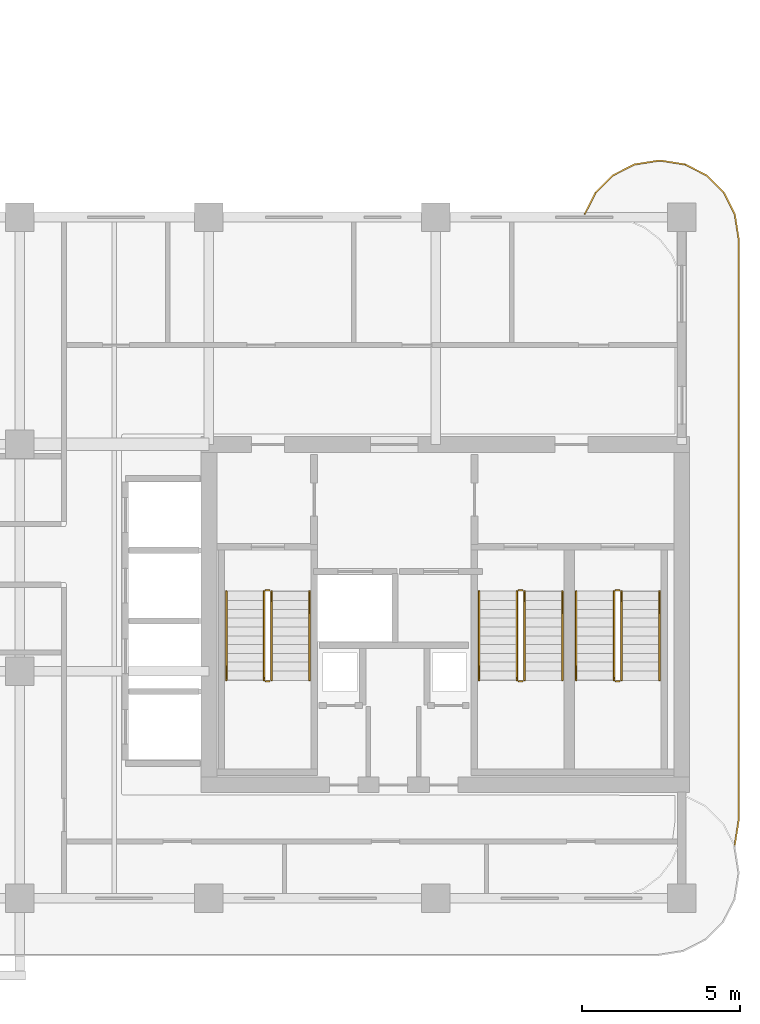
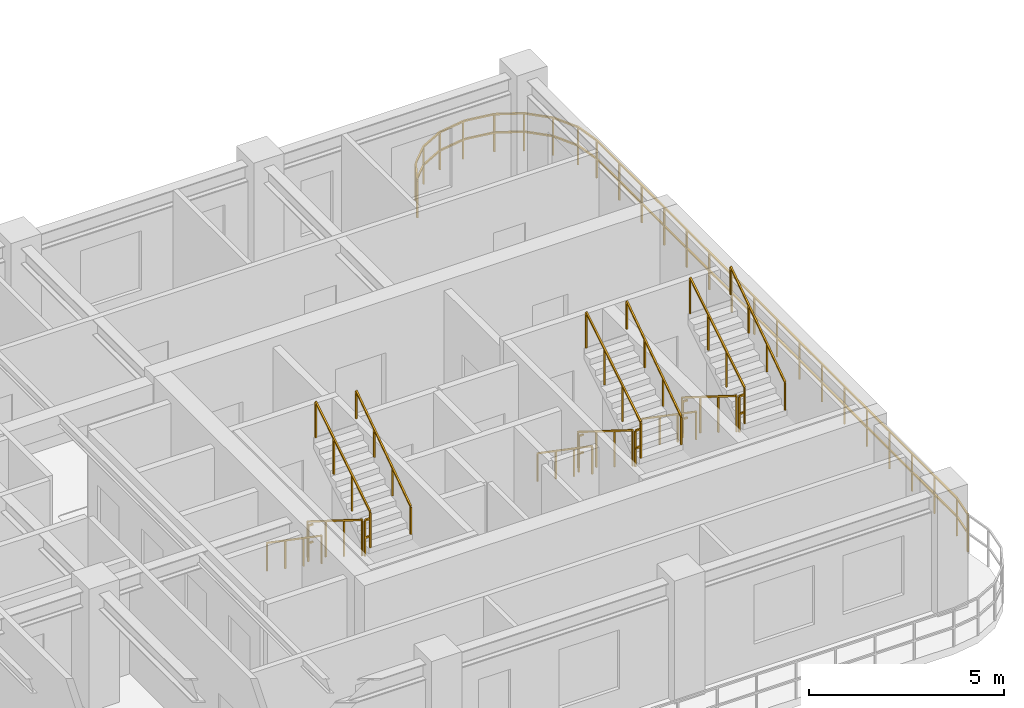
# One storey, part 12 of 14: 19 railings.
"""IFC4 building model written with IfcOpenShell, lengths in metres."""

from ifc_helpers import new_model, si_unit, derived_unit, direction, frame, origin, origin_2d, place, context, subcontext, project, spatial, rectangle, extrude, material, type_object, element, save


model = new_model("IFC4")

# Units and contexts
model_context = context("Model", 3, precision=1e-05, world=origin(), true_north=direction((0.0, 1.0)))
body_context = subcontext(model_context, "Body", "Model", "MODEL_VIEW")
ifc_project = project(units=[si_unit("LENGTHUNIT", "METRE"), si_unit("AREAUNIT", "SQUARE_METRE"), si_unit("VOLUMEUNIT", "CUBIC_METRE"), si_unit("PLANEANGLEUNIT", "RADIAN"), si_unit("MASSUNIT", "GRAM", prefix="KILO"), si_unit("THERMODYNAMICTEMPERATUREUNIT", "KELVIN"), si_unit("POWERUNIT", "WATT"), derived_unit("THERMALTRANSMITTANCEUNIT", [(si_unit("POWERUNIT", "WATT"), 1), (si_unit("AREAUNIT", "SQUARE_METRE"), -1), (si_unit("THERMODYNAMICTEMPERATUREUNIT", "KELVIN"), -1)])], contexts=[model_context])

# Site, building, storey
site_placement = place(None, origin())
site = spatial("IfcSite", under=ifc_project, at=site_placement, CompositionType="ELEMENT")
building_placement = place(site_placement, origin())
building = spatial("IfcBuilding", under=site, at=building_placement, Name="Zahravan Archway Hotel and Residences", CompositionType="ELEMENT")
storey_placement = place(building_placement, frame((0.0, 0.0, 205.75)))
storey = spatial("IfcBuildingStorey", under=building, at=storey_placement, Name="L51", CompositionType="ELEMENT", Elevation=205.75)

# Railings
ifc_material_1 = material(Name="Bronze & Laminated Glass Balustrade", Category="glass")
railing_type_1 = type_object("IfcRailingType", Name="RL-BAL-1200", PredefinedType="BALUSTRADE", material=ifc_material_1)
railing_1_placement = place(storey_placement, frame((46.719970703125, 21.70703125, 0.0)))
element("IfcRailing", 1, at=railing_1_placement, inside=storey, type_object=railing_type_1, Name="L51 Balustrade RL-SLB-BAL-L51-EA-1", PredefinedType="BALUSTRADE", context=body_context, shape_type="SweptSolid", body=[
    extrude(rectangle(XDim=0.048095703125, YDim=0.048095703125, at=origin_2d()), frame((0.0, 0.0, 1.17578125), z_axis=(0.453825591531, 0.891090529897, 0.0), x_axis=(-0.891090529897, 0.453825591531, 0.0)), (0.0, 0.0, 1.0), 0.7666015625),
    extrude(rectangle(XDim=0.048095703125, YDim=0.048095703125, at=origin_2d()), frame((0.0, 0.0, 0.60009765625), z_axis=(0.453825591531, 0.891090529897, 0.0), x_axis=(-0.891090529897, 0.453825591531, 0.0)), (0.0, 0.0, 1.0), 0.7666015625),
    extrude(rectangle(XDim=0.048095703125, YDim=0.048095703125, at=origin_2d()), frame((0.347900390625, 0.68310546875, 1.17578125), z_axis=(0.707106781187, 0.707106781187, 0.0), x_axis=(-0.707106781187, 0.707106781187, 0.0)), (0.0, 0.0, 1.0), 0.7666015625),
    extrude(rectangle(XDim=0.048095703125, YDim=0.048095703125, at=origin_2d()), frame((0.347900390625, 0.68310546875, 0.60009765625), z_axis=(0.707106781187, 0.707106781187, 0.0), x_axis=(-0.707106781187, 0.707106781187, 0.0)), (0.0, 0.0, 1.0), 0.7666015625),
    extrude(rectangle(XDim=0.048095703125, YDim=0.048095703125, at=origin_2d()), frame((0.889892578125, 1.22509765625, 1.17578125), z_axis=(0.891090529897, 0.453825591531, 0.0), x_axis=(-0.453825591531, 0.891090529897, 0.0)), (0.0, 0.0, 1.0), 0.7666015625),
    extrude(rectangle(XDim=0.048095703125, YDim=0.048095703125, at=origin_2d()), frame((0.889892578125, 1.22509765625, 0.60009765625), z_axis=(0.891090529897, 0.453825591531, 0.0), x_axis=(-0.453825591531, 0.891090529897, 0.0)), (0.0, 0.0, 1.0), 0.7666015625),
    extrude(rectangle(XDim=0.048095703125, YDim=0.048095703125, at=origin_2d()), frame((1.572998046875, 1.572998046875, 1.17578125), z_axis=(0.987695728695, 0.156387811283, 0.0), x_axis=(-0.156387811283, 0.987695728695, 0.0)), (0.0, 0.0, 1.0), 0.7666015625),
    extrude(rectangle(XDim=0.048095703125, YDim=0.048095703125, at=origin_2d()), frame((1.572998046875, 1.572998046875, 0.60009765625), z_axis=(0.987695728695, 0.156387811283, 0.0), x_axis=(-0.156387811283, 0.987695728695, 0.0)), (0.0, 0.0, 1.0), 0.7666015625),
    extrude(rectangle(XDim=0.048095703125, YDim=0.048095703125, at=origin_2d()), frame((2.330078125, 1.69287109375, 1.17578125), z_axis=(1.0, 0.0, 0.0), x_axis=(0.0, 1.0, 0.0)), (0.0, 0.0, 1.0), 0.099853515625),
    extrude(rectangle(XDim=0.048095703125, YDim=0.048095703125, at=origin_2d()), frame((2.330078125, 1.69287109375, 0.60009765625), z_axis=(1.0, 0.0, 0.0), x_axis=(0.0, 1.0, 0.0)), (0.0, 0.0, 1.0), 0.099853515625),
    extrude(rectangle(XDim=0.048095703125, YDim=0.048095703125, at=origin_2d()), frame((2.429931640625, 1.69287109375, 1.17578125), z_axis=(0.987695728695, -0.156387811283, 0.0), x_axis=(0.156387811283, 0.987695728695, 0.0)), (0.0, 0.0, 1.0), 0.7666015625),
    extrude(rectangle(XDim=0.048095703125, YDim=0.048095703125, at=origin_2d()), frame((2.429931640625, 1.69287109375, 0.60009765625), z_axis=(0.987695728695, -0.156387811283, 0.0), x_axis=(0.156387811283, 0.987695728695, 0.0)), (0.0, 0.0, 1.0), 0.7666015625),
    extrude(rectangle(XDim=0.048095703125, YDim=0.048095703125, at=origin_2d()), frame((3.18701171875, 1.572998046875, 1.17578125), z_axis=(0.891090529897, -0.453825591531, 0.0), x_axis=(0.453825591531, 0.891090529897, 0.0)), (0.0, 0.0, 1.0), 0.7666015625),
    extrude(rectangle(XDim=0.048095703125, YDim=0.048095703125, at=origin_2d()), frame((3.18701171875, 1.572998046875, 0.60009765625), z_axis=(0.891090529897, -0.453825591531, 0.0), x_axis=(0.453825591531, 0.891090529897, 0.0)), (0.0, 0.0, 1.0), 0.7666015625),
    extrude(rectangle(XDim=0.048095703125, YDim=0.048095703125, at=origin_2d()), frame((3.8701171875, 1.22509765625, 1.17578125), z_axis=(0.707106781187, -0.707106781187, 0.0), x_axis=(0.707106781187, 0.707106781187, 0.0)), (0.0, 0.0, 1.0), 0.7666015625),
    extrude(rectangle(XDim=0.048095703125, YDim=0.048095703125, at=origin_2d()), frame((3.8701171875, 1.22509765625, 0.60009765625), z_axis=(0.707106781187, -0.707106781187, 0.0), x_axis=(0.707106781187, 0.707106781187, 0.0)), (0.0, 0.0, 1.0), 0.7666015625),
    extrude(rectangle(XDim=0.048095703125, YDim=0.048095703125, at=origin_2d()), frame((4.412109375, 0.68310546875, 1.17578125), z_axis=(0.453825591531, -0.891090529897, 0.0), x_axis=(0.891090529897, 0.453825591531, 0.0)), (0.0, 0.0, 1.0), 0.7666015625),
    extrude(rectangle(XDim=0.048095703125, YDim=0.048095703125, at=origin_2d()), frame((4.412109375, 0.68310546875, 0.60009765625), z_axis=(0.453825591531, -0.891090529897, 0.0), x_axis=(0.891090529897, 0.453825591531, 0.0)), (0.0, 0.0, 1.0), 0.7666015625),
    extrude(rectangle(XDim=0.048095703125, YDim=0.048095703125, at=origin_2d()), frame((4.760009765625, 0.0, 1.17578125), z_axis=(0.156698507018, -0.987646484274, 0.0), x_axis=(0.987646484274, 0.156698507018, 0.0)), (0.0, 0.0, 1.0), 0.7666015625),
    extrude(rectangle(XDim=0.048095703125, YDim=0.048095703125, at=origin_2d()), frame((4.760009765625, 0.0, 0.60009765625), z_axis=(0.156698507018, -0.987646484274, 0.0), x_axis=(0.987646484274, 0.156698507018, 0.0)), (0.0, 0.0, 1.0), 0.7666015625),
    extrude(rectangle(XDim=0.048095703125, YDim=0.048095703125, at=origin_2d()), frame((4.880126953125, -0.757080078125, 1.17578125), z_axis=(0.0, -1.0, 0.0), x_axis=(1.0, 0.0, 0.0)), (0.0, 0.0, 1.0), 18.5),
    extrude(rectangle(XDim=0.048095703125, YDim=0.048095703125, at=origin_2d()), frame((4.880126953125, -0.757080078125, 0.60009765625), z_axis=(0.0, -1.0, 0.0), x_axis=(1.0, 0.0, 0.0)), (0.0, 0.0, 1.0), 18.5),
    extrude(rectangle(XDim=0.048095703125, YDim=0.048095703125, at=origin_2d()), frame((4.880126953125, -19.257080078125, 1.17578125), z_axis=(-0.156698507018, -0.987646484274, 0.0), x_axis=(0.987646484274, -0.156698507018, 0.0)), (0.0, 0.0, 1.0), 0.7666015625),
    extrude(rectangle(XDim=0.048095703125, YDim=0.048095703125, at=origin_2d()), frame((4.880126953125, -19.257080078125, 0.60009765625), z_axis=(-0.156698507018, -0.987646484274, 0.0), x_axis=(0.987646484274, -0.156698507018, 0.0)), (0.0, 0.0, 1.0), 0.7666015625),
    extrude(rectangle(XDim=0.0419921875, YDim=0.0419921875, at=origin_2d()), origin(), (0.0, 0.0, 1.0), 1.15185546875),
    extrude(rectangle(XDim=0.0419921875, YDim=0.0419921875, at=origin_2d()), frame((0.347900390625, 0.68310546875, 0.0)), (0.0, 0.0, 1.0), 1.15185546875),
    extrude(rectangle(XDim=0.0419921875, YDim=0.0419921875, at=origin_2d()), frame((0.889892578125, 1.22509765625, 0.0)), (0.0, 0.0, 1.0), 1.15185546875),
    extrude(rectangle(XDim=0.0419921875, YDim=0.0419921875, at=origin_2d()), frame((1.572998046875, 1.572998046875, 0.0)), (0.0, 0.0, 1.0), 1.15185546875),
    extrude(rectangle(XDim=0.0419921875, YDim=0.0419921875, at=origin_2d()), frame((2.330078125, 1.69287109375, 0.0)), (0.0, 0.0, 1.0), 1.15185546875),
    extrude(rectangle(XDim=0.0419921875, YDim=0.0419921875, at=origin_2d()), frame((3.18701171875, 1.572998046875, 0.0)), (0.0, 0.0, 1.0), 1.15185546875),
    extrude(rectangle(XDim=0.0419921875, YDim=0.0419921875, at=origin_2d()), frame((3.8701171875, 1.22509765625, 0.0)), (0.0, 0.0, 1.0), 1.15185546875),
    extrude(rectangle(XDim=0.0419921875, YDim=0.0419921875, at=origin_2d()), frame((4.412109375, 0.68310546875, 0.0)), (0.0, 0.0, 1.0), 1.15185546875),
    extrude(rectangle(XDim=0.0419921875, YDim=0.0419921875, at=origin_2d()), frame((4.760009765625, 0.0, 0.0)), (0.0, 0.0, 1.0), 1.15185546875),
    extrude(rectangle(XDim=0.0419921875, YDim=0.0419921875, at=origin_2d()), frame((4.880126953125, -0.757080078125, 0.0)), (0.0, 0.0, 1.0), 1.15185546875),
    extrude(rectangle(XDim=0.0419921875, YDim=0.0419921875, at=origin_2d()), frame((4.880126953125, -1.913330078125, 0.0)), (0.0, 0.0, 1.0), 1.15185546875),
    extrude(rectangle(XDim=0.0419921875, YDim=0.0419921875, at=origin_2d()), frame((4.880126953125, -3.069580078125, 0.0)), (0.0, 0.0, 1.0), 1.15185546875),
    extrude(rectangle(XDim=0.0419921875, YDim=0.0419921875, at=origin_2d()), frame((4.880126953125, -4.225830078125, 0.0)), (0.0, 0.0, 1.0), 1.15185546875),
    extrude(rectangle(XDim=0.0419921875, YDim=0.0419921875, at=origin_2d()), frame((4.880126953125, -5.382080078125, 0.0)), (0.0, 0.0, 1.0), 1.15185546875),
    extrude(rectangle(XDim=0.0419921875, YDim=0.0419921875, at=origin_2d()), frame((4.880126953125, -6.538330078125, 0.0)), (0.0, 0.0, 1.0), 1.15185546875),
    extrude(rectangle(XDim=0.0419921875, YDim=0.0419921875, at=origin_2d()), frame((4.880126953125, -7.694580078125, 0.0)), (0.0, 0.0, 1.0), 1.15185546875),
    extrude(rectangle(XDim=0.0419921875, YDim=0.0419921875, at=origin_2d()), frame((4.880126953125, -8.850830078125, 0.0)), (0.0, 0.0, 1.0), 1.15185546875),
    extrude(rectangle(XDim=0.0419921875, YDim=0.0419921875, at=origin_2d()), frame((4.880126953125, -10.007080078125, 0.0)), (0.0, 0.0, 1.0), 1.15185546875),
    extrude(rectangle(XDim=0.0419921875, YDim=0.0419921875, at=origin_2d()), frame((4.880126953125, -11.163330078125, 0.0)), (0.0, 0.0, 1.0), 1.15185546875),
    extrude(rectangle(XDim=0.0419921875, YDim=0.0419921875, at=origin_2d()), frame((4.880126953125, -12.319580078125, 0.0)), (0.0, 0.0, 1.0), 1.15185546875),
    extrude(rectangle(XDim=0.0419921875, YDim=0.0419921875, at=origin_2d()), frame((4.880126953125, -13.475830078125, 0.0)), (0.0, 0.0, 1.0), 1.15185546875),
    extrude(rectangle(XDim=0.0419921875, YDim=0.0419921875, at=origin_2d()), frame((4.880126953125, -14.632080078125, 0.0)), (0.0, 0.0, 1.0), 1.15185546875),
    extrude(rectangle(XDim=0.0419921875, YDim=0.0419921875, at=origin_2d()), frame((4.880126953125, -15.788330078125, 0.0)), (0.0, 0.0, 1.0), 1.15185546875),
    extrude(rectangle(XDim=0.0419921875, YDim=0.0419921875, at=origin_2d()), frame((4.880126953125, -16.944580078125, 0.0)), (0.0, 0.0, 1.0), 1.15185546875),
    extrude(rectangle(XDim=0.0419921875, YDim=0.0419921875, at=origin_2d()), frame((4.880126953125, -18.100830078125, 0.0)), (0.0, 0.0, 1.0), 1.15185546875),
    extrude(rectangle(XDim=0.0419921875, YDim=0.0419921875, at=origin_2d()), frame((4.880126953125, -19.257080078125, 0.0)), (0.0, 0.0, 1.0), 1.15185546875),
    extrude(rectangle(XDim=0.0419921875, YDim=0.0419921875, at=origin_2d()), frame((4.760009765625, -20.01416015625, 0.0)), (0.0, 0.0, 1.0), 1.15185546875),
])
ifc_material_2 = material(Name="Painted Tubular Steel", Category="steel")
railing_type_2 = type_object("IfcRailingType", Name="RL-STG-1150", PredefinedType="GUARDRAIL", material=ifc_material_2)
railing_2_placement = place(storey_placement, frame((36.550048828125, 9.72998046875, 0.175048828125)))
element("IfcRailing", 2, at=railing_2_placement, inside=storey, type_object=railing_type_2, Name="L51 ST-A1 stair guard 1", PredefinedType="GUARDRAIL", context=body_context, shape_type="SweptSolid", body=[
    extrude(rectangle(XDim=0.048095703125, YDim=0.048095703125, at=origin_2d()), frame((0.0, 0.0, 1.1259765625), z_axis=(0.0, -0.848002457836, 0.529992293815), x_axis=(1.0, 0.0, 0.0)), (0.0, 0.0, 1.0), 3.302001953125),
    extrude(rectangle(XDim=0.0419921875, YDim=0.0419921875, at=origin_2d()), origin(), (0.0, 0.0, 1.0), 1.101806640625),
    extrude(rectangle(XDim=0.0419921875, YDim=0.0419921875, at=origin_2d()), frame((0.0, -0.933349609375, 0.583251953125)), (0.0, 0.0, 1.0), 1.101806640625),
    extrude(rectangle(XDim=0.0419921875, YDim=0.0419921875, at=origin_2d()), frame((0.0, -1.86669921875, 1.166748046875)), (0.0, 0.0, 1.0), 1.101806640625),
    extrude(rectangle(XDim=0.0419921875, YDim=0.0419921875, at=origin_2d()), frame((0.0, -2.800048828125, 1.75)), (0.0, 0.0, 1.0), 1.101806640625),
])
railing_3_placement = place(storey_placement, frame((36.60009765625, 6.8798828125, 1.925048828125)))
element("IfcRailing", 3, at=railing_3_placement, inside=storey, type_object=railing_type_2, Name="L51 ST-A1 stair guard 2", PredefinedType="GUARDRAIL", context=body_context, shape_type="SweptSolid", body=[
    extrude(rectangle(XDim=0.048095703125, YDim=0.048095703125, at=origin_2d()), frame((0.0, 0.0, 1.1259765625), z_axis=(1.0, 0.0, 0.0), x_axis=(0.0, 1.0, 0.0)), (0.0, 0.0, 1.0), 0.139892578125),
    extrude(rectangle(XDim=0.048095703125, YDim=0.048095703125, at=origin_2d()), frame((0.0, 0.0, 0.574951171875), z_axis=(1.0, 0.0, 0.0), x_axis=(0.0, 1.0, 0.0)), (0.0, 0.0, 1.0), 0.139892578125),
    extrude(rectangle(XDim=0.0419921875, YDim=0.0419921875, at=origin_2d()), origin(), (0.0, 0.0, 1.0), 1.101806640625),
])
railing_4_placement = place(storey_placement, frame((36.7900390625, 6.929931640625, 2.10009765625)))
element("IfcRailing", 4, at=railing_4_placement, inside=storey, type_object=railing_type_2, Name="L51 ST-A1 stair guard 3", PredefinedType="GUARDRAIL", context=body_context, shape_type="SweptSolid", body=[
    extrude(rectangle(XDim=0.048095703125, YDim=0.048095703125, at=origin_2d()), frame((0.0, 0.0, 1.1259765625), z_axis=(0.0, 0.848002457836, 0.529992293815), x_axis=(-1.0, 0.0, 0.0)), (0.0, 0.0, 1.0), 3.302001953125),
    extrude(rectangle(XDim=0.0419921875, YDim=0.0419921875, at=origin_2d()), origin(), (0.0, 0.0, 1.0), 1.101806640625),
    extrude(rectangle(XDim=0.0419921875, YDim=0.0419921875, at=origin_2d()), frame((0.0, 0.933349609375, 0.583251953125)), (0.0, 0.0, 1.0), 1.101806640625),
    extrude(rectangle(XDim=0.0419921875, YDim=0.0419921875, at=origin_2d()), frame((0.0, 1.86669921875, 1.166748046875)), (0.0, 0.0, 1.0), 1.101806640625),
    extrude(rectangle(XDim=0.0419921875, YDim=0.0419921875, at=origin_2d()), frame((0.0, 2.800048828125, 1.75)), (0.0, 0.0, 1.0), 1.101806640625),
])
railing_5_placement = place(storey_placement, frame((36.60009765625, 9.780029296875, 0.0)))
element("IfcRailing", 5, at=railing_5_placement, inside=storey, type_object=railing_type_2, Name="L51 ST-A1 stair guard 4", PredefinedType="GUARDRAIL", context=body_context, shape_type="SweptSolid", body=[
    extrude(rectangle(XDim=0.048095703125, YDim=0.048095703125, at=origin_2d()), frame((0.0, 0.0, 1.1259765625), z_axis=(1.0, 0.0, 0.0), x_axis=(0.0, 1.0, 0.0)), (0.0, 0.0, 1.0), 0.139892578125),
    extrude(rectangle(XDim=0.048095703125, YDim=0.048095703125, at=origin_2d()), frame((0.0, 0.0, 0.574951171875), z_axis=(1.0, 0.0, 0.0), x_axis=(0.0, 1.0, 0.0)), (0.0, 0.0, 1.0), 0.139892578125),
    extrude(rectangle(XDim=0.0419921875, YDim=0.0419921875, at=origin_2d()), origin(), (0.0, 0.0, 1.0), 1.101806640625),
])
railing_6_placement = place(storey_placement, frame((44.570068359375, 9.72998046875, 0.175048828125)))
element("IfcRailing", 6, at=railing_6_placement, inside=storey, type_object=railing_type_2, Name="L51 ST-A2 stair guard 1", PredefinedType="GUARDRAIL", context=body_context, shape_type="SweptSolid", body=[
    extrude(rectangle(XDim=0.048095703125, YDim=0.048095703125, at=origin_2d()), frame((0.0, 0.0, 1.1259765625), z_axis=(0.0, -0.848002457836, 0.529992293815), x_axis=(1.0, 0.0, 0.0)), (0.0, 0.0, 1.0), 3.302001953125),
    extrude(rectangle(XDim=0.0419921875, YDim=0.0419921875, at=origin_2d()), origin(), (0.0, 0.0, 1.0), 1.101806640625),
    extrude(rectangle(XDim=0.0419921875, YDim=0.0419921875, at=origin_2d()), frame((0.0, -0.933349609375, 0.583251953125)), (0.0, 0.0, 1.0), 1.101806640625),
    extrude(rectangle(XDim=0.0419921875, YDim=0.0419921875, at=origin_2d()), frame((0.0, -1.86669921875, 1.166748046875)), (0.0, 0.0, 1.0), 1.101806640625),
    extrude(rectangle(XDim=0.0419921875, YDim=0.0419921875, at=origin_2d()), frame((0.0, -2.800048828125, 1.75)), (0.0, 0.0, 1.0), 1.101806640625),
])
railing_7_placement = place(storey_placement, frame((44.6201171875, 6.8798828125, 1.925048828125)))
element("IfcRailing", 7, at=railing_7_placement, inside=storey, type_object=railing_type_2, Name="L51 ST-A2 stair guard 2", PredefinedType="GUARDRAIL", context=body_context, shape_type="SweptSolid", body=[
    extrude(rectangle(XDim=0.048095703125, YDim=0.048095703125, at=origin_2d()), frame((0.0, 0.0, 1.1259765625), z_axis=(1.0, 0.0, 0.0), x_axis=(0.0, 1.0, 0.0)), (0.0, 0.0, 1.0), 0.139892578125),
    extrude(rectangle(XDim=0.048095703125, YDim=0.048095703125, at=origin_2d()), frame((0.0, 0.0, 0.574951171875), z_axis=(1.0, 0.0, 0.0), x_axis=(0.0, 1.0, 0.0)), (0.0, 0.0, 1.0), 0.139892578125),
    extrude(rectangle(XDim=0.0419921875, YDim=0.0419921875, at=origin_2d()), origin(), (0.0, 0.0, 1.0), 1.101806640625),
])
railing_8_placement = place(storey_placement, frame((44.81005859375, 6.929931640625, 2.10009765625)))
element("IfcRailing", 8, at=railing_8_placement, inside=storey, type_object=railing_type_2, Name="L51 ST-A2 stair guard 3", PredefinedType="GUARDRAIL", context=body_context, shape_type="SweptSolid", body=[
    extrude(rectangle(XDim=0.048095703125, YDim=0.048095703125, at=origin_2d()), frame((0.0, 0.0, 1.1259765625), z_axis=(0.0, 0.848002457836, 0.529992293815), x_axis=(-1.0, 0.0, 0.0)), (0.0, 0.0, 1.0), 3.302001953125),
    extrude(rectangle(XDim=0.0419921875, YDim=0.0419921875, at=origin_2d()), origin(), (0.0, 0.0, 1.0), 1.101806640625),
    extrude(rectangle(XDim=0.0419921875, YDim=0.0419921875, at=origin_2d()), frame((0.0, 0.933349609375, 0.583251953125)), (0.0, 0.0, 1.0), 1.101806640625),
    extrude(rectangle(XDim=0.0419921875, YDim=0.0419921875, at=origin_2d()), frame((0.0, 1.86669921875, 1.166748046875)), (0.0, 0.0, 1.0), 1.101806640625),
    extrude(rectangle(XDim=0.0419921875, YDim=0.0419921875, at=origin_2d()), frame((0.0, 2.800048828125, 1.75)), (0.0, 0.0, 1.0), 1.101806640625),
])
railing_9_placement = place(storey_placement, frame((44.6201171875, 9.780029296875, 0.0)))
element("IfcRailing", 9, at=railing_9_placement, inside=storey, type_object=railing_type_2, Name="L51 ST-A2 stair guard 4", PredefinedType="GUARDRAIL", context=body_context, shape_type="SweptSolid", body=[
    extrude(rectangle(XDim=0.048095703125, YDim=0.048095703125, at=origin_2d()), frame((0.0, 0.0, 1.1259765625), z_axis=(1.0, 0.0, 0.0), x_axis=(0.0, 1.0, 0.0)), (0.0, 0.0, 1.0), 0.139892578125),
    extrude(rectangle(XDim=0.048095703125, YDim=0.048095703125, at=origin_2d()), frame((0.0, 0.0, 0.574951171875), z_axis=(1.0, 0.0, 0.0), x_axis=(0.0, 1.0, 0.0)), (0.0, 0.0, 1.0), 0.139892578125),
    extrude(rectangle(XDim=0.0419921875, YDim=0.0419921875, at=origin_2d()), origin(), (0.0, 0.0, 1.0), 1.101806640625),
])
railing_10_placement = place(storey_placement, frame((47.64990234375, 9.72998046875, 0.175048828125)))
element("IfcRailing", 10, at=railing_10_placement, inside=storey, type_object=railing_type_2, Name="L51 ST-A3 stair guard 1", PredefinedType="GUARDRAIL", context=body_context, shape_type="SweptSolid", body=[
    extrude(rectangle(XDim=0.048095703125, YDim=0.048095703125, at=origin_2d()), frame((0.0, 0.0, 1.1259765625), z_axis=(0.0, -0.848002457836, 0.529992293815), x_axis=(1.0, 0.0, 0.0)), (0.0, 0.0, 1.0), 3.302001953125),
    extrude(rectangle(XDim=0.0419921875, YDim=0.0419921875, at=origin_2d()), origin(), (0.0, 0.0, 1.0), 1.101806640625),
    extrude(rectangle(XDim=0.0419921875, YDim=0.0419921875, at=origin_2d()), frame((0.0, -0.933349609375, 0.583251953125)), (0.0, 0.0, 1.0), 1.101806640625),
    extrude(rectangle(XDim=0.0419921875, YDim=0.0419921875, at=origin_2d()), frame((0.0, -1.86669921875, 1.166748046875)), (0.0, 0.0, 1.0), 1.101806640625),
    extrude(rectangle(XDim=0.0419921875, YDim=0.0419921875, at=origin_2d()), frame((0.0, -2.800048828125, 1.75)), (0.0, 0.0, 1.0), 1.101806640625),
])
railing_11_placement = place(storey_placement, frame((47.699951171875, 6.8798828125, 1.925048828125)))
element("IfcRailing", 11, at=railing_11_placement, inside=storey, type_object=railing_type_2, Name="L51 ST-A3 stair guard 2", PredefinedType="GUARDRAIL", context=body_context, shape_type="SweptSolid", body=[
    extrude(rectangle(XDim=0.048095703125, YDim=0.048095703125, at=origin_2d()), frame((0.0, 0.0, 1.1259765625), z_axis=(1.0, 0.0, 0.0), x_axis=(0.0, 1.0, 0.0)), (0.0, 0.0, 1.0), 0.14013671875),
    extrude(rectangle(XDim=0.048095703125, YDim=0.048095703125, at=origin_2d()), frame((0.0, 0.0, 0.574951171875), z_axis=(1.0, 0.0, 0.0), x_axis=(0.0, 1.0, 0.0)), (0.0, 0.0, 1.0), 0.14013671875),
    extrude(rectangle(XDim=0.0419921875, YDim=0.0419921875, at=origin_2d()), origin(), (0.0, 0.0, 1.0), 1.101806640625),
])
railing_12_placement = place(storey_placement, frame((47.889892578125, 6.929931640625, 2.10009765625)))
element("IfcRailing", 12, at=railing_12_placement, inside=storey, type_object=railing_type_2, Name="L51 ST-A3 stair guard 3", PredefinedType="GUARDRAIL", context=body_context, shape_type="SweptSolid", body=[
    extrude(rectangle(XDim=0.048095703125, YDim=0.048095703125, at=origin_2d()), frame((0.0, 0.0, 1.1259765625), z_axis=(0.0, 0.848002457836, 0.529992293815), x_axis=(-1.0, 0.0, 0.0)), (0.0, 0.0, 1.0), 3.302001953125),
    extrude(rectangle(XDim=0.0419921875, YDim=0.0419921875, at=origin_2d()), origin(), (0.0, 0.0, 1.0), 1.101806640625),
    extrude(rectangle(XDim=0.0419921875, YDim=0.0419921875, at=origin_2d()), frame((0.0, 0.933349609375, 0.583251953125)), (0.0, 0.0, 1.0), 1.101806640625),
    extrude(rectangle(XDim=0.0419921875, YDim=0.0419921875, at=origin_2d()), frame((0.0, 1.86669921875, 1.166748046875)), (0.0, 0.0, 1.0), 1.101806640625),
    extrude(rectangle(XDim=0.0419921875, YDim=0.0419921875, at=origin_2d()), frame((0.0, 2.800048828125, 1.75)), (0.0, 0.0, 1.0), 1.101806640625),
])
railing_13_placement = place(storey_placement, frame((47.699951171875, 9.780029296875, 0.0)))
element("IfcRailing", 13, at=railing_13_placement, inside=storey, type_object=railing_type_2, Name="L51 ST-A3 stair guard 4", PredefinedType="GUARDRAIL", context=body_context, shape_type="SweptSolid", body=[
    extrude(rectangle(XDim=0.048095703125, YDim=0.048095703125, at=origin_2d()), frame((0.0, 0.0, 1.1259765625), z_axis=(1.0, 0.0, 0.0), x_axis=(0.0, 1.0, 0.0)), (0.0, 0.0, 1.0), 0.14013671875),
    extrude(rectangle(XDim=0.048095703125, YDim=0.048095703125, at=origin_2d()), frame((0.0, 0.0, 0.574951171875), z_axis=(1.0, 0.0, 0.0), x_axis=(0.0, 1.0, 0.0)), (0.0, 0.0, 1.0), 0.14013671875),
    extrude(rectangle(XDim=0.0419921875, YDim=0.0419921875, at=origin_2d()), origin(), (0.0, 0.0, 1.0), 1.101806640625),
])
ifc_material_3 = material(Name="Brushed Stainless Steel", Category="steel")
railing_type_3 = type_object("IfcRailingType", Name="RL-STH-900", PredefinedType="HANDRAIL", material=ifc_material_3)
railing_14_placement = place(storey_placement, frame((35.35009765625, 9.72998046875, 0.175048828125)))
element("IfcRailing", 14, at=railing_14_placement, inside=storey, type_object=railing_type_3, Name="L51 ST-A1 stair handrail 1", PredefinedType="HANDRAIL", context=body_context, shape_type="SweptSolid", body=[
    extrude(rectangle(XDim=0.048095703125, YDim=0.048095703125, at=origin_2d()), frame((0.0, 0.0, 0.8759765625), z_axis=(0.0, -0.824039827795, 0.566531872191), x_axis=(1.0, 0.0, 0.0)), (0.0, 0.0, 1.0), 3.39794921875),
    extrude(rectangle(XDim=0.0419921875, YDim=0.0419921875, at=origin_2d()), origin(), (0.0, 0.0, 1.0), 0.851806640625),
    extrude(rectangle(XDim=0.0419921875, YDim=0.0419921875, at=origin_2d()), frame((0.0, -0.933349609375, 0.6416015625)), (0.0, 0.0, 1.0), 0.851806640625),
    extrude(rectangle(XDim=0.0419921875, YDim=0.0419921875, at=origin_2d()), frame((0.0, -1.86669921875, 1.283447265625)), (0.0, 0.0, 1.0), 0.851806640625),
    extrude(rectangle(XDim=0.0419921875, YDim=0.0419921875, at=origin_2d()), frame((0.0, -2.800048828125, 1.925048828125)), (0.0, 0.0, 1.0), 0.851806640625),
])
railing_15_placement = place(storey_placement, frame((37.989990234375, 6.929931640625, 2.10009765625)))
element("IfcRailing", 15, at=railing_15_placement, inside=storey, type_object=railing_type_3, Name="L51 ST-A1 stair handrail 2", PredefinedType="HANDRAIL", context=body_context, shape_type="SweptSolid", body=[
    extrude(rectangle(XDim=0.048095703125, YDim=0.048095703125, at=origin_2d()), frame((0.0, 0.0, 0.8759765625), z_axis=(0.0, 0.824073370198, 0.566483080534), x_axis=(-1.0, 0.0, 0.0)), (0.0, 0.0, 1.0), 3.397705078125),
    extrude(rectangle(XDim=0.0419921875, YDim=0.0419921875, at=origin_2d()), origin(), (0.0, 0.0, 1.0), 0.851806640625),
    extrude(rectangle(XDim=0.0419921875, YDim=0.0419921875, at=origin_2d()), frame((0.0, 0.933349609375, 0.6416015625)), (0.0, 0.0, 1.0), 0.851806640625),
    extrude(rectangle(XDim=0.0419921875, YDim=0.0419921875, at=origin_2d()), frame((0.0, 1.86669921875, 1.283203125)), (0.0, 0.0, 1.0), 0.851806640625),
    extrude(rectangle(XDim=0.0419921875, YDim=0.0419921875, at=origin_2d()), frame((0.0, 2.800048828125, 1.9248046875)), (0.0, 0.0, 1.0), 0.851806640625),
])
railing_16_placement = place(storey_placement, frame((43.3701171875, 9.72998046875, 0.175048828125)))
element("IfcRailing", 16, at=railing_16_placement, inside=storey, type_object=railing_type_3, Name="L51 ST-A2 stair handrail 1", PredefinedType="HANDRAIL", context=body_context, shape_type="SweptSolid", body=[
    extrude(rectangle(XDim=0.048095703125, YDim=0.048095703125, at=origin_2d()), frame((0.0, 0.0, 0.8759765625), z_axis=(0.0, -0.824039827795, 0.566531872191), x_axis=(1.0, 0.0, 0.0)), (0.0, 0.0, 1.0), 3.39794921875),
    extrude(rectangle(XDim=0.0419921875, YDim=0.0419921875, at=origin_2d()), origin(), (0.0, 0.0, 1.0), 0.851806640625),
    extrude(rectangle(XDim=0.0419921875, YDim=0.0419921875, at=origin_2d()), frame((0.0, -0.933349609375, 0.6416015625)), (0.0, 0.0, 1.0), 0.851806640625),
    extrude(rectangle(XDim=0.0419921875, YDim=0.0419921875, at=origin_2d()), frame((0.0, -1.86669921875, 1.283447265625)), (0.0, 0.0, 1.0), 0.851806640625),
    extrude(rectangle(XDim=0.0419921875, YDim=0.0419921875, at=origin_2d()), frame((0.0, -2.800048828125, 1.925048828125)), (0.0, 0.0, 1.0), 0.851806640625),
])
railing_17_placement = place(storey_placement, frame((46.010009765625, 6.929931640625, 2.10009765625)))
element("IfcRailing", 17, at=railing_17_placement, inside=storey, type_object=railing_type_3, Name="L51 ST-A2 stair handrail 2", PredefinedType="HANDRAIL", context=body_context, shape_type="SweptSolid", body=[
    extrude(rectangle(XDim=0.048095703125, YDim=0.048095703125, at=origin_2d()), frame((0.0, 0.0, 0.8759765625), z_axis=(0.0, 0.824073370198, 0.566483080534), x_axis=(-1.0, 0.0, 0.0)), (0.0, 0.0, 1.0), 3.397705078125),
    extrude(rectangle(XDim=0.0419921875, YDim=0.0419921875, at=origin_2d()), origin(), (0.0, 0.0, 1.0), 0.851806640625),
    extrude(rectangle(XDim=0.0419921875, YDim=0.0419921875, at=origin_2d()), frame((0.0, 0.933349609375, 0.6416015625)), (0.0, 0.0, 1.0), 0.851806640625),
    extrude(rectangle(XDim=0.0419921875, YDim=0.0419921875, at=origin_2d()), frame((0.0, 1.86669921875, 1.283203125)), (0.0, 0.0, 1.0), 0.851806640625),
    extrude(rectangle(XDim=0.0419921875, YDim=0.0419921875, at=origin_2d()), frame((0.0, 2.800048828125, 1.9248046875)), (0.0, 0.0, 1.0), 0.851806640625),
])
railing_18_placement = place(storey_placement, frame((46.449951171875, 9.72998046875, 0.175048828125)))
element("IfcRailing", 18, at=railing_18_placement, inside=storey, type_object=railing_type_3, Name="L51 ST-A3 stair handrail 1", PredefinedType="HANDRAIL", context=body_context, shape_type="SweptSolid", body=[
    extrude(rectangle(XDim=0.048095703125, YDim=0.048095703125, at=origin_2d()), frame((0.0, 0.0, 0.8759765625), z_axis=(0.0, -0.824039827795, 0.566531872191), x_axis=(1.0, 0.0, 0.0)), (0.0, 0.0, 1.0), 3.39794921875),
    extrude(rectangle(XDim=0.0419921875, YDim=0.0419921875, at=origin_2d()), origin(), (0.0, 0.0, 1.0), 0.851806640625),
    extrude(rectangle(XDim=0.0419921875, YDim=0.0419921875, at=origin_2d()), frame((0.0, -0.933349609375, 0.6416015625)), (0.0, 0.0, 1.0), 0.851806640625),
    extrude(rectangle(XDim=0.0419921875, YDim=0.0419921875, at=origin_2d()), frame((0.0, -1.86669921875, 1.283447265625)), (0.0, 0.0, 1.0), 0.851806640625),
    extrude(rectangle(XDim=0.0419921875, YDim=0.0419921875, at=origin_2d()), frame((0.0, -2.800048828125, 1.925048828125)), (0.0, 0.0, 1.0), 0.851806640625),
])
railing_19_placement = place(storey_placement, frame((49.090087890625, 6.929931640625, 2.10009765625)))
element("IfcRailing", 19, at=railing_19_placement, inside=storey, type_object=railing_type_3, Name="L51 ST-A3 stair handrail 2", PredefinedType="HANDRAIL", context=body_context, shape_type="SweptSolid", body=[
    extrude(rectangle(XDim=0.048095703125, YDim=0.048095703125, at=origin_2d()), frame((0.0, 0.0, 0.8759765625), z_axis=(0.0, 0.824073370198, 0.566483080534), x_axis=(-1.0, 0.0, 0.0)), (0.0, 0.0, 1.0), 3.397705078125),
    extrude(rectangle(XDim=0.0419921875, YDim=0.0419921875, at=origin_2d()), origin(), (0.0, 0.0, 1.0), 0.851806640625),
    extrude(rectangle(XDim=0.0419921875, YDim=0.0419921875, at=origin_2d()), frame((0.0, 0.933349609375, 0.6416015625)), (0.0, 0.0, 1.0), 0.851806640625),
    extrude(rectangle(XDim=0.0419921875, YDim=0.0419921875, at=origin_2d()), frame((0.0, 1.86669921875, 1.283203125)), (0.0, 0.0, 1.0), 0.851806640625),
    extrude(rectangle(XDim=0.0419921875, YDim=0.0419921875, at=origin_2d()), frame((0.0, 2.800048828125, 1.9248046875)), (0.0, 0.0, 1.0), 0.851806640625),
])

save(model, "model.ifc")
